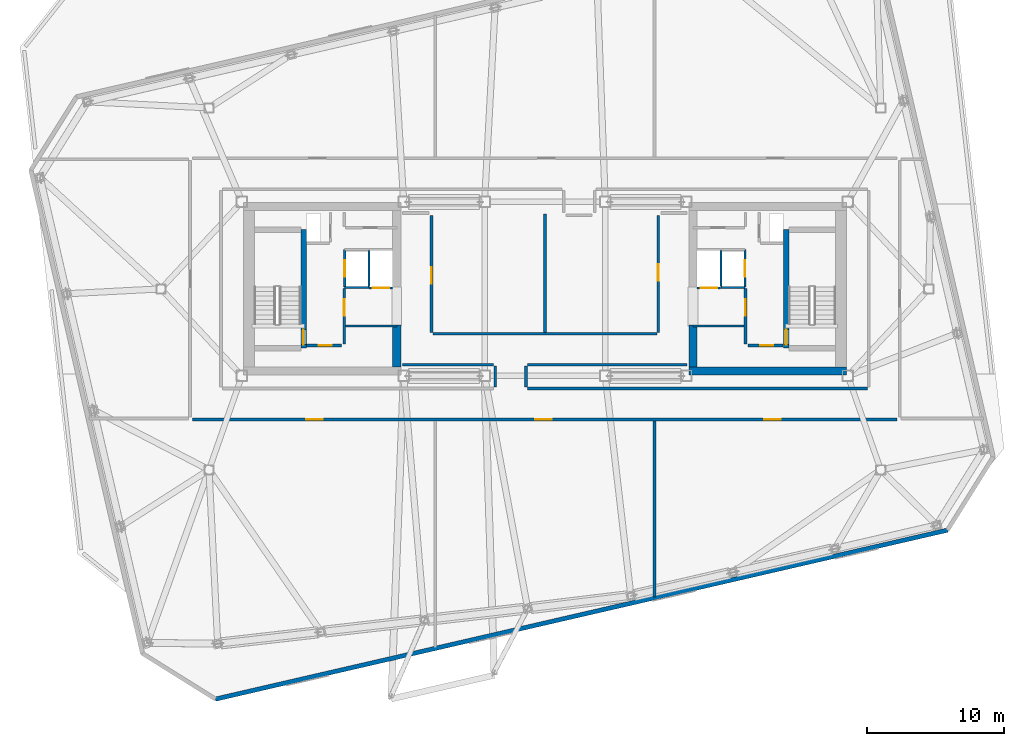
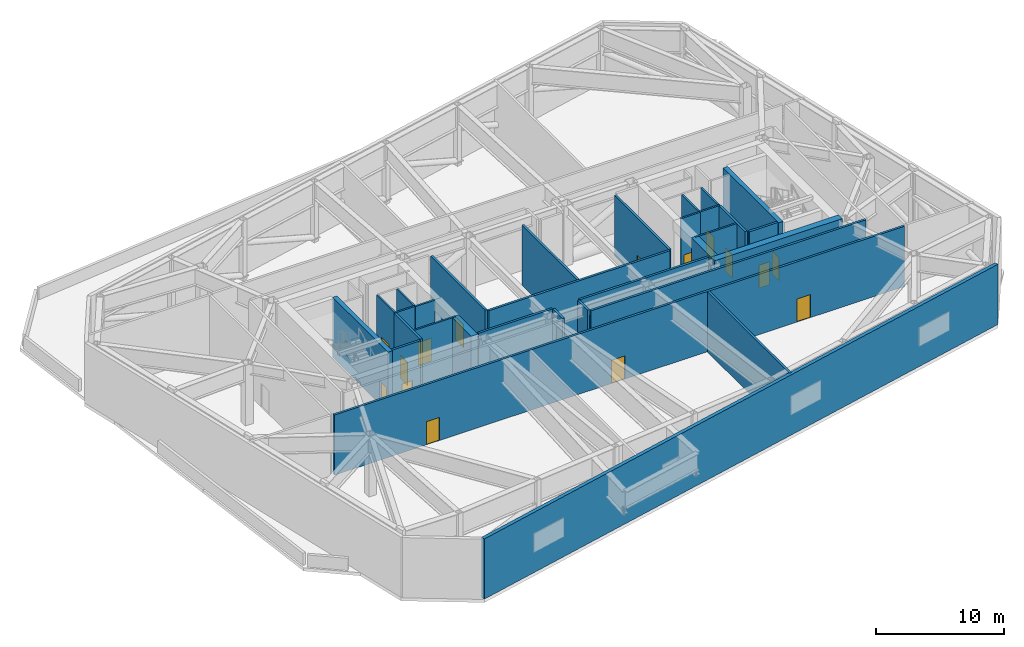
# One storey, part 7 of 15: 31 walls, 15 doors, 15 openings.
"""IFC4 building model written with IfcOpenShell, lengths in metres."""

from ifc_helpers import new_model, si_unit, direction, frame, frame_2d, origin, place, context, subcontext, project, spatial, rectangle, extrude, material, layer, layer_set, type_object, element, fill, save


model = new_model("IFC4")

# Units and contexts
model_context = context("Model", 3, precision=1e-05, world=origin(), true_north=direction((0.0, 1.0)))
body_context = subcontext(model_context, "Body", "Model", "MODEL_VIEW")
ifc_project = project(units=[si_unit("LENGTHUNIT", "METRE"), si_unit("AREAUNIT", "SQUARE_METRE"), si_unit("VOLUMEUNIT", "CUBIC_METRE"), si_unit("PLANEANGLEUNIT", "RADIAN"), si_unit("MASSUNIT", "GRAM", prefix="KILO")], contexts=[model_context])

# Site, building, storey
site_placement = place(None, origin())
site = spatial("IfcSite", under=ifc_project, at=site_placement, CompositionType="ELEMENT")
building_placement = place(site_placement, origin())
building = spatial("IfcBuilding", under=site, at=building_placement, Name="Tavrogorsk Clinical Tower", CompositionType="ELEMENT")
storey_placement = place(building_placement, frame((0.0, 0.0, 271.0)))
storey = spatial("IfcBuildingStorey", under=building, at=storey_placement, Name="L63", CompositionType="ELEMENT", Elevation=271.0)

# Wall, opening, door
ifc_material_1 = material(Name="Concrete B60", Category="concrete")
ifc_layer_1 = layer(ifc_material_1, 0.199951171875)
ifc_layer_set_1 = layer_set([ifc_layer_1], Name="Concrete B60")
wall_type_1 = type_object("IfcWallType", Name="CoreFireWall_200", PredefinedType="SOLIDWALL", material=ifc_layer_set_1)
wall_1_placement = place(storey_placement, frame((-17.3798828125, -4.139892578125, 0.0), z_axis=(0.0, 0.0, 1.0), x_axis=(1.0, 0.0, 0.0)))
wall_1 = element("IfcWall", 1, at=wall_1_placement, inside=storey, type_object=wall_type_1, Name="L63 Core West South Core Room Fire Wall", PredefinedType="SOLIDWALL", context=body_context, shape_type="SweptSolid", body=[
    extrude(rectangle(XDim=2.554931640625, YDim=0.199951171875, at=frame_2d((1.27734375, 0.0))), origin(), (0.0, 0.0, 1.0), 5.739990234375),
])
opening_1_placement = place(wall_1_placement, frame((0.8798828125, 0.0, 0.0)))
opening_1 = element("IfcOpeningElement", 2, at=opening_1_placement, cuts=wall_1, Name="Opening ID-02", PredefinedType="OPENING", context=body_context, shape_type="SweptSolid", body=[
    extrude(rectangle(XDim=0.949951171875, YDim=2.199951171875, at=frame_2d((0.47509765625, 1.10009765625))), frame((0.0, 0.10986328125, 0.0), z_axis=(0.0, -1.0, 0.0), x_axis=(1.0, 0.0, 0.0)), (0.0, 0.0, 1.0), 0.219970703125),
])
ifc_material_2 = material(Name="Laminated timber leaf on aluminium frame", Category="wood")
door_type_1 = type_object("IfcDoorType", Name="InteriorDoor_ID02_950", OperationType="NOTDEFINED", PredefinedType="DOOR", material=ifc_material_2)
door_1_placement = place(opening_1_placement, origin())
door_1 = element("IfcDoor", 3, at=door_1_placement, inside=storey, type_object=door_type_1, Name="L63 Core West South Core Room Door", OperationType="SINGLE_SWING_RIGHT", OverallHeight=2.199951171875, OverallWidth=0.949951171875, PredefinedType="DOOR", context=body_context, shape_type="SweptSolid", body=[
    extrude(rectangle(XDim=0.949951171875, YDim=2.199951171875, at=frame_2d((0.47509765625, 1.10009765625))), frame((0.0, 0.02490234375, 0.0), z_axis=(0.0, -1.0, 0.0), x_axis=(1.0, 0.0, 0.0)), (0.0, 0.0, 1.0), 0.050048828125),
])
fill(opening_1, door_1)

wall_2_placement = place(storey_placement, frame((-14.639892578125, -4.034912109375, 0.0), z_axis=(0.0, 0.0, 1.0), x_axis=(0.0, 1.0, 0.0)))
wall_2 = element("IfcWall", 4, at=wall_2_placement, inside=storey, type_object=wall_type_1, Name="L63 Core West Firefighting Lobby Fire Wall", PredefinedType="SOLIDWALL", context=body_context, shape_type="SweptSolid", body=[
    extrude(rectangle(XDim=4.074951171875, YDim=0.199951171875, at=frame_2d((2.03759765625, 0.0))), origin(), (0.0, 0.0, 1.0), 5.739990234375),
])
opening_2_placement = place(wall_2_placement, frame((2.090087890625, 0.0, 0.0)))
opening_2 = element("IfcOpeningElement", 5, at=opening_2_placement, cuts=wall_2, Name="Opening FD-01", PredefinedType="OPENING", context=body_context, shape_type="SweptSolid", body=[
    extrude(rectangle(XDim=1.199951171875, YDim=2.199951171875, at=frame_2d((0.60009765625, 1.10009765625))), frame((0.0, 0.10986328125, 0.0), z_axis=(0.0, -1.0, 0.0), x_axis=(1.0, 0.0, 0.0)), (0.0, 0.0, 1.0), 0.219970703125),
])
ifc_material_3 = material(Name="Galvanised steel fire-rated door assembly", Category="steel")
door_type_2 = type_object("IfcDoorType", Name="FireDoor_FD01_1200", OperationType="NOTDEFINED", PredefinedType="DOOR", material=ifc_material_3)
door_2_placement = place(opening_2_placement, origin())
door_2 = element("IfcDoor", 6, at=door_2_placement, inside=storey, type_object=door_type_2, Name="L63 Core West Firefighting Lobby Entry Door", OperationType="SINGLE_SWING_RIGHT", OverallHeight=2.199951171875, OverallWidth=1.199951171875, PredefinedType="DOOR", context=body_context, shape_type="SweptSolid", body=[
    extrude(rectangle(XDim=1.199951171875, YDim=2.199951171875, at=frame_2d((0.60009765625, 1.10009765625))), frame((0.0, 0.02490234375, 0.0), z_axis=(0.0, -1.0, 0.0), x_axis=(1.0, 0.0, 0.0)), (0.0, 0.0, 1.0), 0.050048828125),
])
fill(opening_2, door_2)

wall_3_placement = place(storey_placement, frame((14.824951171875, -4.139892578125, 0.0), z_axis=(0.0, 0.0, 1.0), x_axis=(1.0, 0.0, 0.0)))
wall_3 = element("IfcWall", 7, at=wall_3_placement, inside=storey, type_object=wall_type_1, Name="L63 Core East South Core Room Fire Wall", PredefinedType="SOLIDWALL", context=body_context, shape_type="SweptSolid", body=[
    extrude(rectangle(XDim=2.554931640625, YDim=0.199951171875, at=frame_2d((1.27734375, 0.0))), origin(), (0.0, 0.0, 1.0), 5.739990234375),
])
opening_3_placement = place(wall_3_placement, frame((0.8798828125, 0.0, 0.0)))
opening_3 = element("IfcOpeningElement", 8, at=opening_3_placement, cuts=wall_3, Name="Opening ID-02", PredefinedType="OPENING", context=body_context, shape_type="SweptSolid", body=[
    extrude(rectangle(XDim=0.949951171875, YDim=2.199951171875, at=frame_2d((0.47509765625, 1.10009765625))), frame((0.0, 0.10986328125, 0.0), z_axis=(0.0, -1.0, 0.0), x_axis=(1.0, 0.0, 0.0)), (0.0, 0.0, 1.0), 0.219970703125),
])
door_3_placement = place(opening_3_placement, origin())
door_3 = element("IfcDoor", 9, at=door_3_placement, inside=storey, type_object=door_type_1, Name="L63 Core East South Core Room Door", OperationType="SINGLE_SWING_RIGHT", OverallHeight=2.199951171875, OverallWidth=0.949951171875, PredefinedType="DOOR", context=body_context, shape_type="SweptSolid", body=[
    extrude(rectangle(XDim=0.949951171875, YDim=2.199951171875, at=frame_2d((0.47509765625, 1.10009765625))), frame((0.0, 0.02490234375, 0.0), z_axis=(0.0, -1.0, 0.0), x_axis=(1.0, 0.0, 0.0)), (0.0, 0.0, 1.0), 0.050048828125),
])
fill(opening_3, door_3)

wall_4_placement = place(storey_placement, frame((14.639892578125, -4.034912109375, 0.0), z_axis=(0.0, 0.0, 1.0), x_axis=(0.0, 1.0, 0.0)))
wall_4 = element("IfcWall", 10, at=wall_4_placement, inside=storey, type_object=wall_type_1, Name="L63 Core East Firefighting Lobby Fire Wall", PredefinedType="SOLIDWALL", context=body_context, shape_type="SweptSolid", body=[
    extrude(rectangle(XDim=4.074951171875, YDim=0.199951171875, at=frame_2d((2.03759765625, 0.0))), origin(), (0.0, 0.0, 1.0), 5.739990234375),
])
opening_4_placement = place(wall_4_placement, frame((2.090087890625, 0.0, 0.0)))
opening_4 = element("IfcOpeningElement", 11, at=opening_4_placement, cuts=wall_4, Name="Opening FD-01", PredefinedType="OPENING", context=body_context, shape_type="SweptSolid", body=[
    extrude(rectangle(XDim=1.199951171875, YDim=2.199951171875, at=frame_2d((0.60009765625, 1.10009765625))), frame((0.0, 0.10986328125, 0.0), z_axis=(0.0, -1.0, 0.0), x_axis=(1.0, 0.0, 0.0)), (0.0, 0.0, 1.0), 0.219970703125),
])
door_4_placement = place(opening_4_placement, origin())
door_4 = element("IfcDoor", 12, at=door_4_placement, inside=storey, type_object=door_type_2, Name="L63 Core East Firefighting Lobby Entry Door", OperationType="SINGLE_SWING_RIGHT", OverallHeight=2.199951171875, OverallWidth=1.199951171875, PredefinedType="DOOR", context=body_context, shape_type="SweptSolid", body=[
    extrude(rectangle(XDim=1.199951171875, YDim=2.199951171875, at=frame_2d((0.60009765625, 1.10009765625))), frame((0.0, 0.02490234375, 0.0), z_axis=(0.0, -1.0, 0.0), x_axis=(1.0, 0.0, 0.0)), (0.0, 0.0, 1.0), 0.050048828125),
])
fill(opening_4, door_4)

# Wall, openings, doors
wall_5_placement = place(storey_placement, frame((25.695068359375, -9.530029296875, 0.0), z_axis=(0.0, 0.0, 1.0), x_axis=(-1.0, 0.0, 0.0)))
wall_5 = element("IfcWall", 13, at=wall_5_placement, inside=storey, type_object=wall_type_1, Name="L63 Refuge Corridor Fire Wall 04", PredefinedType="SOLIDWALL", context=body_context, shape_type="SweptSolid", body=[
    extrude(rectangle(XDim=51.39013671875, YDim=0.199951171875, at=frame_2d((25.695068359375, 0.0))), origin(), (0.0, 0.0, 1.0), 5.739990234375),
])
opening_5_placement = place(wall_5_placement, frame((41.906005859375, 0.0, 0.0)))
opening_5 = element("IfcOpeningElement", 14, at=opening_5_placement, cuts=wall_5, Name="Opening FD-01", PredefinedType="OPENING", context=body_context, shape_type="SweptSolid", body=[
    extrude(rectangle(XDim=1.199951171875, YDim=2.199951171875, at=frame_2d((0.60009765625, 1.10009765625))), frame((0.0, 0.10986328125, 0.0), z_axis=(0.0, -1.0, 0.0), x_axis=(1.0, 0.0, 0.0)), (0.0, 0.0, 1.0), 0.219970703125),
])
opening_6_placement = place(wall_5_placement, frame((8.494140625, 0.0, 0.0)))
opening_6 = element("IfcOpeningElement", 15, at=opening_6_placement, cuts=wall_5, Name="Opening FD-01", PredefinedType="OPENING", context=body_context, shape_type="SweptSolid", body=[
    extrude(rectangle(XDim=1.199951171875, YDim=2.199951171875, at=frame_2d((0.60009765625, 1.10009765625))), frame((0.0, 0.10986328125, 0.0), z_axis=(0.0, -1.0, 0.0), x_axis=(1.0, 0.0, 0.0)), (0.0, 0.0, 1.0), 0.219970703125),
])
opening_7_placement = place(wall_5_placement, frame((25.199951171875, 0.0, 0.0)))
opening_7 = element("IfcOpeningElement", 16, at=opening_7_placement, cuts=wall_5, Name="Opening FD-01", PredefinedType="OPENING", context=body_context, shape_type="SweptSolid", body=[
    extrude(rectangle(XDim=1.199951171875, YDim=2.199951171875, at=frame_2d((0.60009765625, 1.10009765625))), frame((0.0, 0.10986328125, 0.0), z_axis=(0.0, -1.0, 0.0), x_axis=(1.0, 0.0, 0.0)), (0.0, 0.0, 1.0), 0.219970703125),
])
door_5_placement = place(opening_5_placement, origin())
door_5 = element("IfcDoor", 17, at=door_5_placement, inside=storey, type_object=door_type_2, Name="L63 Pressurised Patient Refuge Area West Fire Door", OperationType="SINGLE_SWING_LEFT", OverallHeight=2.199951171875, OverallWidth=1.199951171875, PredefinedType="DOOR", context=body_context, shape_type="SweptSolid", body=[
    extrude(rectangle(XDim=1.199951171875, YDim=2.199951171875, at=frame_2d((0.60009765625, 1.10009765625))), frame((0.0, 0.02490234375, 0.0), z_axis=(0.0, -1.0, 0.0), x_axis=(1.0, 0.0, 0.0)), (0.0, 0.0, 1.0), 0.050048828125),
])
fill(opening_5, door_5)
door_6_placement = place(opening_6_placement, origin())
door_6 = element("IfcDoor", 18, at=door_6_placement, inside=storey, type_object=door_type_2, Name="L63 Pressurised Patient Refuge Area East Fire Door", OperationType="SINGLE_SWING_RIGHT", OverallHeight=2.199951171875, OverallWidth=1.199951171875, PredefinedType="DOOR", context=body_context, shape_type="SweptSolid", body=[
    extrude(rectangle(XDim=1.199951171875, YDim=2.199951171875, at=frame_2d((0.60009765625, 1.10009765625))), frame((0.0, 0.02490234375, 0.0), z_axis=(0.0, -1.0, 0.0), x_axis=(1.0, 0.0, 0.0)), (0.0, 0.0, 1.0), 0.050048828125),
])
fill(opening_6, door_6)
door_7_placement = place(opening_7_placement, origin())
door_7 = element("IfcDoor", 19, at=door_7_placement, inside=storey, type_object=door_type_2, Name="L63 Bariatric & Stretcher Holding Refuge Fire Door", OperationType="SINGLE_SWING_LEFT", OverallHeight=2.199951171875, OverallWidth=1.199951171875, PredefinedType="DOOR", context=body_context, shape_type="SweptSolid", body=[
    extrude(rectangle(XDim=1.199951171875, YDim=2.199951171875, at=frame_2d((0.60009765625, 1.10009765625))), frame((0.0, 0.02490234375, 0.0), z_axis=(0.0, -1.0, 0.0), x_axis=(1.0, 0.0, 0.0)), (0.0, 0.0, 1.0), 0.050048828125),
])
fill(opening_7, door_7)

# Walls
wall_6_placement = place(storey_placement, frame((-3.6298828125, -7.1650390625, 0.0), z_axis=(0.0, 0.0, 1.0), x_axis=(0.0, 1.0, 0.0)))
element("IfcWall", 20, at=wall_6_placement, inside=storey, type_object=wall_type_1, Name="L63 Refuge Corridor Fire Wall 05", PredefinedType="SOLIDWALL", context=body_context, shape_type="SweptSolid", body=[
    extrude(rectangle(XDim=1.530029296875, YDim=0.199951171875, at=frame_2d((0.76513671875, 0.0))), origin(), (0.0, 0.0, 1.0), 5.739990234375),
])
wall_7_placement = place(storey_placement, frame((-3.735107421875, -5.530029296875, 0.0), z_axis=(0.0, 0.0, 1.0), x_axis=(-1.0, 0.0, 0.0)))
element("IfcWall", 21, at=wall_7_placement, inside=storey, type_object=wall_type_1, Name="L63 Refuge Corridor Fire Wall 06", PredefinedType="SOLIDWALL", context=body_context, shape_type="SweptSolid", body=[
    extrude(rectangle(XDim=6.644775390625, YDim=0.199951171875, at=frame_2d((3.322265625, 0.0))), origin(), (0.0, 0.0, 1.0), 5.739990234375),
])

# Wall, opening, door
wall_8_placement = place(storey_placement, frame((-8.27001953125, 5.344970703125, 0.0), z_axis=(0.0, 0.0, 1.0), x_axis=(0.0, -1.0, 0.0)))
wall_8 = element("IfcWall", 22, at=wall_8_placement, inside=storey, type_object=wall_type_1, Name="L63 Refuge Corridor Fire Wall 08", PredefinedType="SOLIDWALL", context=body_context, shape_type="SweptSolid", body=[
    extrude(rectangle(XDim=8.510009765625, YDim=0.199951171875, at=frame_2d((4.2548828125, 0.0))), origin(), (0.0, 0.0, 1.0), 5.739990234375),
])
opening_8_placement = place(wall_8_placement, frame((3.760009765625, 0.0, 0.0)))
opening_8 = element("IfcOpeningElement", 23, at=opening_8_placement, cuts=wall_8, Name="Opening FD-01", PredefinedType="OPENING", context=body_context, shape_type="SweptSolid", body=[
    extrude(rectangle(XDim=1.199951171875, YDim=2.199951171875, at=frame_2d((0.60009765625, 1.10009765625))), frame((0.0, 0.10986328125, 0.0), z_axis=(0.0, -1.0, 0.0), x_axis=(1.0, 0.0, 0.0)), (0.0, 0.0, 1.0), 0.219970703125),
])
door_8_placement = place(opening_8_placement, origin())
door_8 = element("IfcDoor", 24, at=door_8_placement, inside=storey, type_object=door_type_2, Name="L63 Zone Substation & Medical IT UPS Fire Door", OperationType="SINGLE_SWING_LEFT", OverallHeight=2.199951171875, OverallWidth=1.199951171875, PredefinedType="DOOR", context=body_context, shape_type="SweptSolid", body=[
    extrude(rectangle(XDim=1.199951171875, YDim=2.199951171875, at=frame_2d((0.60009765625, 1.10009765625))), frame((0.0, 0.02490234375, 0.0), z_axis=(0.0, -1.0, 0.0), x_axis=(1.0, 0.0, 0.0)), (0.0, 0.0, 1.0), 0.050048828125),
])
fill(opening_8, door_8)

# Wall
wall_9_placement = place(storey_placement, frame((-8.1650390625, -3.27001953125, 0.0), z_axis=(0.0, 0.0, 1.0), x_axis=(1.0, 0.0, 0.0)))
element("IfcWall", 25, at=wall_9_placement, inside=storey, type_object=wall_type_1, Name="L63 Refuge Corridor Fire Wall 09", PredefinedType="SOLIDWALL", context=body_context, shape_type="SweptSolid", body=[
    extrude(rectangle(XDim=16.330078125, YDim=0.199951171875, at=frame_2d((8.1650390625, 0.0))), origin(), (0.0, 0.0, 1.0), 5.739990234375),
])

# Wall, opening, door
wall_10_placement = place(storey_placement, frame((8.27001953125, -3.1650390625, 0.0), z_axis=(0.0, 0.0, 1.0), x_axis=(0.0, 1.0, 0.0)))
wall_10 = element("IfcWall", 26, at=wall_10_placement, inside=storey, type_object=wall_type_1, Name="L63 Refuge Corridor Fire Wall 10", PredefinedType="SOLIDWALL", context=body_context, shape_type="SweptSolid", body=[
    extrude(rectangle(XDim=8.510009765625, YDim=0.199951171875, at=frame_2d((4.2548828125, 0.0))), origin(), (0.0, 0.0, 1.0), 5.739990234375),
])
opening_9_placement = place(wall_10_placement, frame((3.760009765625, 0.0, 0.0)))
opening_9 = element("IfcOpeningElement", 27, at=opening_9_placement, cuts=wall_10, Name="Opening FD-01", PredefinedType="OPENING", context=body_context, shape_type="SweptSolid", body=[
    extrude(rectangle(XDim=1.199951171875, YDim=2.199951171875, at=frame_2d((0.60009765625, 1.10009765625))), frame((0.0, 0.10986328125, 0.0), z_axis=(0.0, -1.0, 0.0), x_axis=(1.0, 0.0, 0.0)), (0.0, 0.0, 1.0), 0.219970703125),
])
door_9_placement = place(opening_9_placement, origin())
door_9 = element("IfcDoor", 28, at=door_9_placement, inside=storey, type_object=door_type_2, Name="L63 Zone Domestic Water & Vacuum Booster Fire Door", OperationType="SINGLE_SWING_RIGHT", OverallHeight=2.199951171875, OverallWidth=1.199951171875, PredefinedType="DOOR", context=body_context, shape_type="SweptSolid", body=[
    extrude(rectangle(XDim=1.199951171875, YDim=2.199951171875, at=frame_2d((0.60009765625, 1.10009765625))), frame((0.0, 0.02490234375, 0.0), z_axis=(0.0, -1.0, 0.0), x_axis=(1.0, 0.0, 0.0)), (0.0, 0.0, 1.0), 0.050048828125),
])
fill(opening_9, door_9)

# Walls
wall_11_placement = place(storey_placement, frame((10.3798828125, -5.530029296875, 0.0), z_axis=(0.0, 0.0, 1.0), x_axis=(-1.0, 0.0, 0.0)))
element("IfcWall", 29, at=wall_11_placement, inside=storey, type_object=wall_type_1, Name="L63 Refuge Corridor Fire Wall 12", PredefinedType="SOLIDWALL", context=body_context, shape_type="SweptSolid", body=[
    extrude(rectangle(XDim=11.644775390625, YDim=0.199951171875, at=frame_2d((5.822265625, 0.0))), origin(), (0.0, 0.0, 1.0), 5.739990234375),
])
wall_12_placement = place(storey_placement, frame((-1.3701171875, -5.635009765625, 0.0), z_axis=(0.0, 0.0, 1.0), x_axis=(0.0, -1.0, 0.0)))
element("IfcWall", 30, at=wall_12_placement, inside=storey, type_object=wall_type_1, Name="L63 Refuge Corridor Fire Wall 13", PredefinedType="SOLIDWALL", context=body_context, shape_type="SweptSolid", body=[
    extrude(rectangle(XDim=1.530029296875, YDim=0.199951171875, at=frame_2d((0.76513671875, 0.0))), origin(), (0.0, 0.0, 1.0), 5.739990234375),
])
wall_13_placement = place(storey_placement, frame((-1.264892578125, -7.27001953125, 0.0), z_axis=(0.0, 0.0, 1.0), x_axis=(1.0, 0.0, 0.0)))
element("IfcWall", 31, at=wall_13_placement, inside=storey, type_object=wall_type_1, Name="L63 Refuge Corridor Fire Wall 14", PredefinedType="SOLIDWALL", context=body_context, shape_type="SweptSolid", body=[
    extrude(rectangle(XDim=24.77978515625, YDim=0.199951171875, at=frame_2d((12.389892578125, 0.0))), origin(), (0.0, 0.0, 1.0), 5.739990234375),
])
wall_14_placement = place(storey_placement, frame((8.0, -22.47021484375, 0.0), z_axis=(0.0, 0.0, 1.0), x_axis=(0.0, 1.0, 0.0)))
element("IfcWall", 32, at=wall_14_placement, inside=storey, type_object=wall_type_1, Name="L63 Refuge & Plant Fire Wall 6", PredefinedType="SOLIDWALL", context=body_context, shape_type="SweptSolid", body=[
    extrude(rectangle(XDim=12.835205078125, YDim=0.199951171875, at=frame_2d((6.41748046875, 0.0))), origin(), (0.0, 0.0, 1.0), 5.739990234375),
])
wall_15_placement = place(storey_placement, frame((0.0, -3.1650390625, 0.0), z_axis=(0.0, 0.0, 1.0), x_axis=(0.0, 1.0, 0.0)))
element("IfcWall", 33, at=wall_15_placement, inside=storey, type_object=wall_type_1, Name="L63 Refuge & Plant Fire Wall 9", PredefinedType="SOLIDWALL", context=body_context, shape_type="SweptSolid", body=[
    extrude(rectangle(XDim=8.614990234375, YDim=0.199951171875, at=frame_2d((4.3076171875, 0.0))), origin(), (0.0, 0.0, 1.0), 5.739990234375),
])
ifc_material_4 = material(Name="Lightweight concrete blockwork B15", Category="masonry")
ifc_layer_2 = layer(ifc_material_4, 0.159912109375)
ifc_layer_set_2 = layer_set([ifc_layer_2], Name="Lightweight concrete blockwork B15")
wall_type_2 = type_object("IfcWallType", Name="PartitionWall_160", PredefinedType="PARTITIONING", material=ifc_layer_set_2)
for number, where, z_axis, x_axis, name in (
    (34, (-14.534912109375, -2.699951171875, 0.0), (0.0, 0.0, 1.0), (1.0, 0.0, 0.0), "L63 Core West Freed Mid-Bank North Partition"),
    (35, (10.800048828125, -2.699951171875, 0.0), (0.0, 0.0, 1.0), (1.0, 0.0, 0.0), "L63 Core East Freed Mid-Bank North Partition"),
):
    element("IfcWall", number, at=place(storey_placement, frame(where, z_axis=z_axis, x_axis=x_axis)), inside=storey, type_object=wall_type_2, Name=name, PredefinedType="PARTITIONING", context=body_context, shape_type="SweptSolid", body=[
        extrude(rectangle(XDim=3.73486328125, YDim=0.159912109375, at=frame_2d((1.867431640625, 0.0))), origin(), (0.0, 0.0, 1.0), 5.739990234375),
    ])
ifc_material_5 = material(Name="Precast concrete B45 acoustic plenum wall", Category="concrete")
ifc_layer_3 = layer(ifc_material_5, 0.320068359375)
ifc_layer_set_3 = layer_set([ifc_layer_3], Name="Precast concrete B45 acoustic plenum wall")
wall_type_3 = type_object("IfcWallType", Name="PlantLouvreWall_320", PredefinedType="STANDARD", material=ifc_layer_set_3)
wall_16_placement = place(storey_placement, frame((-24.02734375, -29.926025390625, 0.0), z_axis=(0.0, 0.0, 1.0), x_axis=(0.974369791702, 0.224952237195, 0.0)))
element("IfcWall", 36, at=wall_16_placement, inside=storey, type_object=wall_type_3, Name="L63 S Limestone Facade Wall 1", PredefinedType="STANDARD", context=body_context, shape_type="SweptSolid", body=[
    extrude(rectangle(XDim=54.800048828125, YDim=0.320068359375, at=frame_2d((27.39990234375, 0.0))), origin(), (0.0, 0.0, 1.0), 5.739990234375),
])

# Wall, opening, door
ifc_material_6 = material(Name="Lightweight concrete blockwork B25", Category="masonry")
ifc_layer_4 = layer(ifc_material_6, 0.159912109375)
ifc_layer_set_4 = layer_set([ifc_layer_4], Name="Lightweight concrete blockwork B25")
wall_type_4 = type_object("IfcWallType", Name="ShaftWall_160", PredefinedType="PARTITIONING", material=ifc_layer_set_4)
wall_17_placement = place(storey_placement, frame((-14.60009765625, 0.1201171875, 0.0), z_axis=(0.0, 0.0, 1.0), x_axis=(0.0, 1.0, 0.0)))
wall_17 = element("IfcWall", 37, at=wall_17_placement, inside=storey, type_object=wall_type_4, Name="L63 FFL-W Firefighting Lift Front Wall", PredefinedType="PARTITIONING", context=body_context, shape_type="SweptSolid", body=[
    extrude(rectangle(XDim=2.739990234375, YDim=0.159912109375, at=frame_2d((1.3701171875, 0.0))), origin(), (0.0, 0.0, 1.0), 5.739990234375),
])
opening_10_placement = place(wall_17_placement, frame((0.77001953125, 0.0, 0.0)))
opening_10 = element("IfcOpeningElement", 38, at=opening_10_placement, cuts=wall_17, Name="Opening LD", PredefinedType="OPENING", context=body_context, shape_type="SweptSolid", body=[
    extrude(rectangle(XDim=1.199951171875, YDim=2.199951171875, at=frame_2d((0.60009765625, 1.10009765625))), frame((0.0, 0.08984375, 0.0), z_axis=(0.0, -1.0, 0.0), x_axis=(1.0, 0.0, 0.0)), (0.0, 0.0, 1.0), 0.179931640625),
])
ifc_material_7 = material(Name="Brushed stainless steel AISI 304 sliding doors", Category="steel")
door_type_3 = type_object("IfcDoorType", Name="LiftLandingDoor_LD_1200", OperationType="SLIDING_TO_LEFT", PredefinedType="DOOR", material=ifc_material_7)
door_10_placement = place(opening_10_placement, origin())
door_10 = element("IfcDoor", 39, at=door_10_placement, inside=storey, type_object=door_type_3, Name="L63 FFL-W Sliding Lift Landing Door", OperationType="SLIDING_TO_LEFT", OverallHeight=2.199951171875, OverallWidth=1.199951171875, PredefinedType="DOOR", context=body_context, shape_type="SweptSolid", body=[
    extrude(rectangle(XDim=1.199951171875, YDim=2.199951171875, at=frame_2d((0.60009765625, 1.10009765625))), frame((0.0, 0.02490234375, 0.0), z_axis=(0.0, -1.0, 0.0), x_axis=(1.0, 0.0, 0.0)), (0.0, 0.0, 1.0), 0.050048828125),
])
fill(opening_10, door_10)

# Walls
wall_18_placement = place(storey_placement, frame((-14.60009765625, 0.10009765625, 0.0), z_axis=(0.0, 0.0, 1.0), x_axis=(1.0, 0.0, 0.0)))
element("IfcWall", 40, at=wall_18_placement, inside=storey, type_object=wall_type_4, Name="L63 FFL-W Shaft South Wall", PredefinedType="PARTITIONING", context=body_context, shape_type="SweptSolid", body=[
    extrude(rectangle(XDim=1.760009765625, YDim=0.159912109375, at=frame_2d((0.8798828125, 0.0))), origin(), (0.0, 0.0, 1.0), 5.739990234375),
])
wall_19_placement = place(storey_placement, frame((-12.840087890625, 0.179931640625, 0.0), z_axis=(0.0, 0.0, 1.0), x_axis=(0.0, 1.0, 0.0)))
element("IfcWall", 41, at=wall_19_placement, inside=storey, type_object=wall_type_4, Name="L63 FFL-W Shaft Back Wall", PredefinedType="PARTITIONING", context=body_context, shape_type="SweptSolid", body=[
    extrude(rectangle(XDim=2.6201171875, YDim=0.159912109375, at=frame_2d((1.31005859375, 0.0))), origin(), (0.0, 0.0, 1.0), 5.739990234375),
])

# Wall, opening, door
wall_20_placement = place(storey_placement, frame((-12.820068359375, 0.06005859375, 0.0), z_axis=(0.0, 0.0, 1.0), x_axis=(1.0, 0.0, 0.0)))
wall_20 = element("IfcWall", 42, at=wall_20_placement, inside=storey, type_object=wall_type_4, Name="L63 LP-H1 High-Zone Lift Portal Wall", PredefinedType="PARTITIONING", context=body_context, shape_type="SweptSolid", body=[
    extrude(rectangle(XDim=1.719970703125, YDim=0.159912109375, at=frame_2d((0.85986328125, 0.0))), origin(), (0.0, 0.0, 1.0), 5.739990234375),
])
opening_11_placement = place(wall_20_placement, frame((0.260009765625, 0.0, 0.0)))
opening_11 = element("IfcOpeningElement", 43, at=opening_11_placement, cuts=wall_20, Name="Opening LD", PredefinedType="OPENING", context=body_context, shape_type="SweptSolid", body=[
    extrude(rectangle(XDim=1.199951171875, YDim=2.199951171875, at=frame_2d((0.60009765625, 1.10009765625))), frame((0.0, 0.08984375, 0.0), z_axis=(0.0, -1.0, 0.0), x_axis=(1.0, 0.0, 0.0)), (0.0, 0.0, 1.0), 0.179931640625),
])
door_11_placement = place(opening_11_placement, origin())
door_11 = element("IfcDoor", 44, at=door_11_placement, inside=storey, type_object=door_type_3, Name="L63 LP-H1 Sliding Lift Landing Door", OperationType="SLIDING_TO_LEFT", OverallHeight=2.199951171875, OverallWidth=1.199951171875, PredefinedType="DOOR", context=body_context, shape_type="SweptSolid", body=[
    extrude(rectangle(XDim=1.199951171875, YDim=2.199951171875, at=frame_2d((0.60009765625, 1.10009765625))), frame((0.0, 0.02490234375, 0.0), z_axis=(0.0, -1.0, 0.0), x_axis=(1.0, 0.0, 0.0)), (0.0, 0.0, 1.0), 0.050048828125),
])
fill(opening_11, door_11)

wall_21_placement = place(storey_placement, frame((14.60009765625, 0.1201171875, 0.0), z_axis=(0.0, 0.0, 1.0), x_axis=(0.0, 1.0, 0.0)))
wall_21 = element("IfcWall", 45, at=wall_21_placement, inside=storey, type_object=wall_type_4, Name="L63 FFL-E Firefighting Lift Front Wall", PredefinedType="PARTITIONING", context=body_context, shape_type="SweptSolid", body=[
    extrude(rectangle(XDim=2.739990234375, YDim=0.159912109375, at=frame_2d((1.3701171875, 0.0))), origin(), (0.0, 0.0, 1.0), 5.739990234375),
])
opening_12_placement = place(wall_21_placement, frame((0.77001953125, 0.0, 0.0)))
opening_12 = element("IfcOpeningElement", 46, at=opening_12_placement, cuts=wall_21, Name="Opening LD", PredefinedType="OPENING", context=body_context, shape_type="SweptSolid", body=[
    extrude(rectangle(XDim=1.199951171875, YDim=2.199951171875, at=frame_2d((0.60009765625, 1.10009765625))), frame((0.0, 0.08984375, 0.0), z_axis=(0.0, -1.0, 0.0), x_axis=(1.0, 0.0, 0.0)), (0.0, 0.0, 1.0), 0.179931640625),
])
door_12_placement = place(opening_12_placement, origin())
door_12 = element("IfcDoor", 47, at=door_12_placement, inside=storey, type_object=door_type_3, Name="L63 FFL-E Sliding Lift Landing Door", OperationType="SLIDING_TO_LEFT", OverallHeight=2.199951171875, OverallWidth=1.199951171875, PredefinedType="DOOR", context=body_context, shape_type="SweptSolid", body=[
    extrude(rectangle(XDim=1.199951171875, YDim=2.199951171875, at=frame_2d((0.60009765625, 1.10009765625))), frame((0.0, 0.02490234375, 0.0), z_axis=(0.0, -1.0, 0.0), x_axis=(1.0, 0.0, 0.0)), (0.0, 0.0, 1.0), 0.050048828125),
])
fill(opening_12, door_12)

# Walls
wall_22_placement = place(storey_placement, frame((12.840087890625, 0.10009765625, 0.0), z_axis=(0.0, 0.0, 1.0), x_axis=(1.0, 0.0, 0.0)))
element("IfcWall", 48, at=wall_22_placement, inside=storey, type_object=wall_type_4, Name="L63 FFL-E Shaft South Wall", PredefinedType="PARTITIONING", context=body_context, shape_type="SweptSolid", body=[
    extrude(rectangle(XDim=1.760009765625, YDim=0.159912109375, at=frame_2d((0.8798828125, 0.0))), origin(), (0.0, 0.0, 1.0), 5.739990234375),
])
wall_23_placement = place(storey_placement, frame((12.840087890625, 0.179931640625, 0.0), z_axis=(0.0, 0.0, 1.0), x_axis=(0.0, 1.0, 0.0)))
element("IfcWall", 49, at=wall_23_placement, inside=storey, type_object=wall_type_4, Name="L63 FFL-E Shaft Back Wall", PredefinedType="PARTITIONING", context=body_context, shape_type="SweptSolid", body=[
    extrude(rectangle(XDim=2.6201171875, YDim=0.159912109375, at=frame_2d((1.31005859375, 0.0))), origin(), (0.0, 0.0, 1.0), 5.739990234375),
])

# Wall, opening, door
wall_24_placement = place(storey_placement, frame((11.10009765625, 0.06005859375, 0.0), z_axis=(0.0, 0.0, 1.0), x_axis=(1.0, 0.0, 0.0)))
wall_24 = element("IfcWall", 50, at=wall_24_placement, inside=storey, type_object=wall_type_4, Name="L63 LP-H2 High-Zone Lift Portal Wall", PredefinedType="PARTITIONING", context=body_context, shape_type="SweptSolid", body=[
    extrude(rectangle(XDim=1.719970703125, YDim=0.159912109375, at=frame_2d((0.85986328125, 0.0))), origin(), (0.0, 0.0, 1.0), 5.739990234375),
])
opening_13_placement = place(wall_24_placement, frame((0.260009765625, 0.0, 0.0)))
opening_13 = element("IfcOpeningElement", 51, at=opening_13_placement, cuts=wall_24, Name="Opening LD", PredefinedType="OPENING", context=body_context, shape_type="SweptSolid", body=[
    extrude(rectangle(XDim=1.199951171875, YDim=2.199951171875, at=frame_2d((0.60009765625, 1.10009765625))), frame((0.0, 0.08984375, 0.0), z_axis=(0.0, -1.0, 0.0), x_axis=(1.0, 0.0, 0.0)), (0.0, 0.0, 1.0), 0.179931640625),
])
door_13_placement = place(opening_13_placement, origin())
door_13 = element("IfcDoor", 52, at=door_13_placement, inside=storey, type_object=door_type_3, Name="L63 LP-H2 Sliding Lift Landing Door", OperationType="SLIDING_TO_LEFT", OverallHeight=2.199951171875, OverallWidth=1.199951171875, PredefinedType="DOOR", context=body_context, shape_type="SweptSolid", body=[
    extrude(rectangle(XDim=1.199951171875, YDim=2.199951171875, at=frame_2d((0.60009765625, 1.10009765625))), frame((0.0, 0.02490234375, 0.0), z_axis=(0.0, -1.0, 0.0), x_axis=(1.0, 0.0, 0.0)), (0.0, 0.0, 1.0), 0.050048828125),
])
fill(opening_13, door_13)

ifc_material_8 = material(Name="Concrete B80", Category="concrete")
ifc_layer_5 = layer(ifc_material_8, 0.39990234375)
ifc_layer_set_5 = layer_set([ifc_layer_5], Name="Concrete B80")
wall_type_5 = type_object("IfcWallType", Name="ShearWall_400", PredefinedType="SHEAR", material=ifc_layer_set_5)
wall_25_placement = place(storey_placement, frame((-17.60009765625, -4.324951171875, 0.0), z_axis=(0.0, 0.0, 1.0), x_axis=(0.0, 1.0, 0.0)))
wall_25 = element("IfcWall", 53, at=wall_25_placement, inside=storey, type_object=wall_type_5, Name="L63 Core West Stair Shaft Inner Shear Wall", PredefinedType="SHEAR", context=body_context, shape_type="SweptSolid", body=[
    extrude(rectangle(XDim=8.64990234375, YDim=0.39990234375, at=frame_2d((4.324951171875, 0.0))), origin(), (0.0, 0.0, 1.0), 5.739990234375),
])
opening_14_placement = place(wall_25_placement, frame((0.25, 0.0, 0.0)))
opening_14 = element("IfcOpeningElement", 54, at=opening_14_placement, cuts=wall_25, Name="Opening SD-01", PredefinedType="OPENING", context=body_context, shape_type="SweptSolid", body=[
    extrude(rectangle(XDim=1.10009765625, YDim=2.199951171875, at=frame_2d((0.550048828125, 1.10009765625))), frame((0.0, 0.2099609375, 0.0), z_axis=(0.0, -1.0, 0.0), x_axis=(1.0, 0.0, 0.0)), (0.0, 0.0, 1.0), 0.419921875),
])
ifc_material_9 = material(Name="Galvanised steel smoke-tight fire door assembly", Category="steel")
door_type_4 = type_object("IfcDoorType", Name="StairFireDoor_SD01_1100", OperationType="NOTDEFINED", PredefinedType="DOOR", material=ifc_material_9)
door_14_placement = place(opening_14_placement, origin())
door_14 = element("IfcDoor", 55, at=door_14_placement, inside=storey, type_object=door_type_4, Name="L63 ST-W Exit Stair Door", OperationType="SINGLE_SWING_RIGHT", OverallHeight=2.199951171875, OverallWidth=1.10009765625, PredefinedType="DOOR", context=body_context, shape_type="SweptSolid", body=[
    extrude(rectangle(XDim=1.10009765625, YDim=2.199951171875, at=frame_2d((0.550048828125, 1.10009765625))), frame((0.0, 0.02490234375, 0.0), z_axis=(0.0, -1.0, 0.0), x_axis=(1.0, 0.0, 0.0)), (0.0, 0.0, 1.0), 0.050048828125),
])
fill(opening_14, door_14)

wall_26_placement = place(storey_placement, frame((17.60009765625, -4.324951171875, 0.0), z_axis=(0.0, 0.0, 1.0), x_axis=(0.0, 1.0, 0.0)))
wall_26 = element("IfcWall", 56, at=wall_26_placement, inside=storey, type_object=wall_type_5, Name="L63 Core East Stair Shaft Inner Shear Wall", PredefinedType="SHEAR", context=body_context, shape_type="SweptSolid", body=[
    extrude(rectangle(XDim=8.64990234375, YDim=0.39990234375, at=frame_2d((4.324951171875, 0.0))), origin(), (0.0, 0.0, 1.0), 5.739990234375),
])
opening_15_placement = place(wall_26_placement, frame((0.25, 0.0, 0.0)))
opening_15 = element("IfcOpeningElement", 57, at=opening_15_placement, cuts=wall_26, Name="Opening SD-01", PredefinedType="OPENING", context=body_context, shape_type="SweptSolid", body=[
    extrude(rectangle(XDim=1.10009765625, YDim=2.199951171875, at=frame_2d((0.550048828125, 1.10009765625))), frame((0.0, 0.2099609375, 0.0), z_axis=(0.0, -1.0, 0.0), x_axis=(1.0, 0.0, 0.0)), (0.0, 0.0, 1.0), 0.419921875),
])
door_15_placement = place(opening_15_placement, origin())
door_15 = element("IfcDoor", 58, at=door_15_placement, inside=storey, type_object=door_type_4, Name="L63 ST-E Exit Stair Door", OperationType="SINGLE_SWING_LEFT", OverallHeight=2.199951171875, OverallWidth=1.10009765625, PredefinedType="DOOR", context=body_context, shape_type="SweptSolid", body=[
    extrude(rectangle(XDim=1.10009765625, YDim=2.199951171875, at=frame_2d((0.550048828125, 1.10009765625))), frame((0.0, 0.02490234375, 0.0), z_axis=(0.0, -1.0, 0.0), x_axis=(1.0, 0.0, 0.0)), (0.0, 0.0, 1.0), 0.050048828125),
])
fill(opening_15, door_15)

# Walls
ifc_material_10 = material(Name="Concrete B80", Category="concrete")
ifc_layer_6 = layer(ifc_material_10, 0.60009765625)
ifc_layer_set_6 = layer_set([ifc_layer_6], Name="Concrete B80")
wall_type_6 = type_object("IfcWallType", Name="ShearWall_600", PredefinedType="SHEAR", material=ifc_layer_set_6)
wall_27_placement = place(storey_placement, frame((-10.800048828125, -5.699951171875, 0.0), z_axis=(0.0, 0.0, 1.0), x_axis=(0.0, 1.0, 0.0)))
element("IfcWall", 59, at=wall_27_placement, inside=storey, type_object=wall_type_6, Name="L63 Core West Inner South Pier", PredefinedType="SHEAR", context=body_context, shape_type="SweptSolid", body=[
    extrude(rectangle(XDim=3.050048828125, YDim=0.60009765625, at=frame_2d((1.52490234375, 0.0))), origin(), (0.0, 0.0, 1.0), 5.739990234375),
])
wall_28_placement = place(storey_placement, frame((10.5, -6.0, 0.0), z_axis=(0.0, 0.0, 1.0), x_axis=(1.0, 0.0, 0.0)))
element("IfcWall", 60, at=wall_28_placement, inside=storey, type_object=wall_type_6, Name="L63 Core East South Shear Wall", PredefinedType="SHEAR", context=body_context, shape_type="SweptSolid", body=[
    extrude(rectangle(XDim=11.5, YDim=0.60009765625, at=frame_2d((5.75, 0.0))), origin(), (0.0, 0.0, 1.0), 5.739990234375),
])
wall_29_placement = place(storey_placement, frame((10.800048828125, -5.699951171875, 0.0), z_axis=(0.0, 0.0, 1.0), x_axis=(0.0, 1.0, 0.0)))
element("IfcWall", 61, at=wall_29_placement, inside=storey, type_object=wall_type_6, Name="L63 Core East Inner South Pier", PredefinedType="SHEAR", context=body_context, shape_type="SweptSolid", body=[
    extrude(rectangle(XDim=3.050048828125, YDim=0.60009765625, at=frame_2d((1.52490234375, 0.0))), origin(), (0.0, 0.0, 1.0), 5.739990234375),
])

save(model, "model.ifc")
